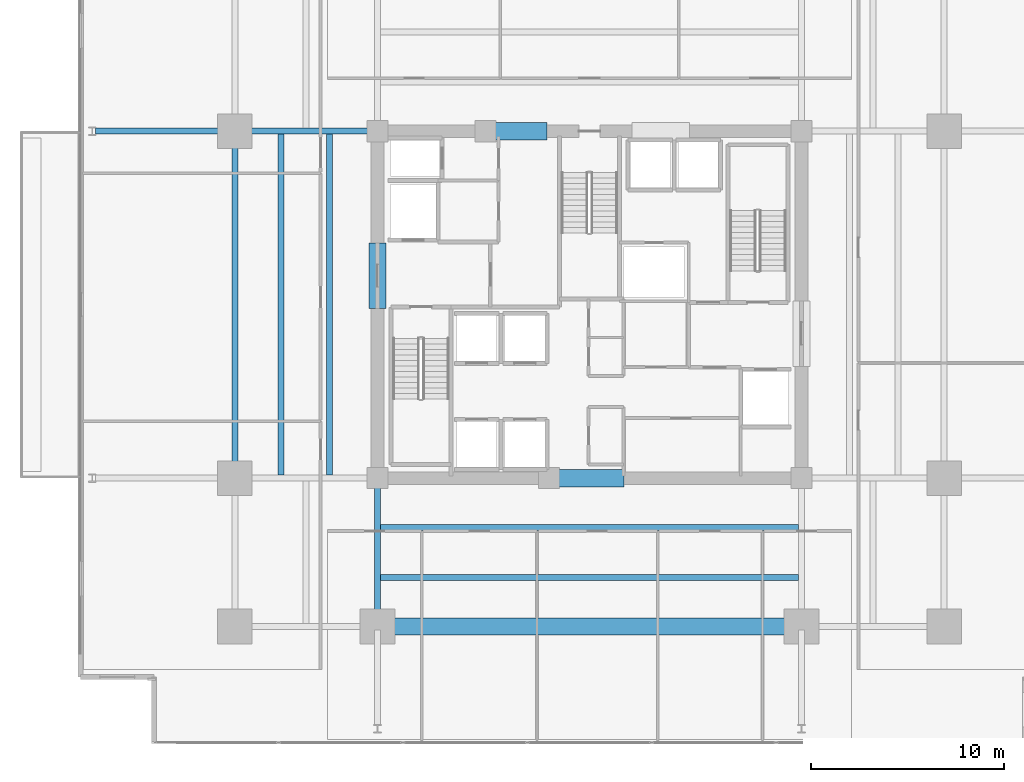
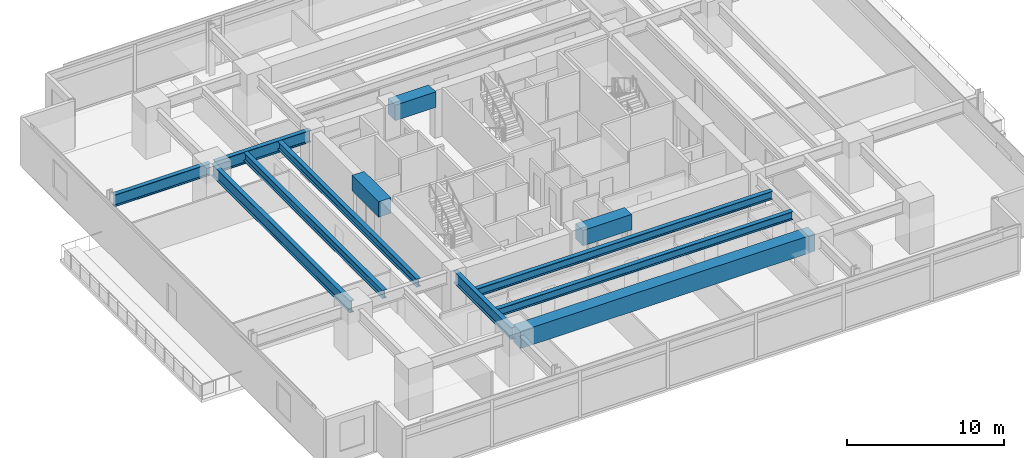
# One storey, part 4 of 23: 12 beams.
"""IFC4 building model written with IfcOpenShell, lengths in metres."""

from ifc_helpers import new_model, si_unit, direction, frame, origin, origin_2d, place, context, subcontext, project, spatial, rectangle, i_section, extrude, material, material_profile, profile_set, type_object, element, save


model = new_model("IFC4")

# Units and contexts
model_context = context("Model", 3, precision=1e-05, world=origin(), true_north=direction((0.0, 1.0)))
body_context = subcontext(model_context, "Body", "Model", "MODEL_VIEW")
ifc_project = project(units=[si_unit("LENGTHUNIT", "METRE"), si_unit("AREAUNIT", "SQUARE_METRE"), si_unit("VOLUMEUNIT", "CUBIC_METRE"), si_unit("PLANEANGLEUNIT", "RADIAN"), si_unit("MASSUNIT", "GRAM", prefix="KILO")], contexts=[model_context])

# Site, building, storey
site_placement = place(None, origin())
site = spatial("IfcSite", under=ifc_project, at=site_placement, CompositionType="ELEMENT")
building_placement = place(site_placement, origin())
building = spatial("IfcBuilding", under=site, at=building_placement, Name="Kovane Verandah Tower", CompositionType="ELEMENT")
storey_placement = place(building_placement, frame((0.0, 0.0, 103.60009765625)))
storey = spatial("IfcBuildingStorey", under=building, at=storey_placement, Name="L24", CompositionType="ELEMENT", Elevation=103.60009765625)

# Beams
ifc_material_1 = material(Name="Concrete C80/95", Category="concrete")
ifc_material_profile_1 = material_profile(ifc_material_1, rectangle(XDim=0.89990234375, YDim=1.199951171875, at=origin_2d()), Name="RCB900x1200")
ifc_profile_set_1 = profile_set([ifc_material_profile_1], Name="Concrete C80/95")
beam_type_1 = type_object("IfcBeamType", Name="BM-LINTEL-900x1200", PredefinedType="LINTEL", material=ifc_profile_set_1)
beam_1_placement = place(storey_placement, frame((38.199951171875, 18.5, 3.099853515625), z_axis=(1.0, 0.0, 0.0), x_axis=(0.0, 1.0, 0.0)))
element("IfcBeam", 1, at=beam_1_placement, inside=storey, type_object=beam_type_1, Name="L24 Core Coupling Lintel CL-S", PredefinedType="LINTEL", context=body_context, shape_type="SweptSolid", body=[
    extrude(rectangle(XDim=0.89990234375, YDim=1.199951171875, at=origin_2d()), origin(), (0.0, 0.0, 1.0), 3.60009765625),
])
beam_2_placement = place(storey_placement, frame((34.800048828125, 36.5, 3.099853515625), z_axis=(1.0, 0.0, 0.0), x_axis=(0.0, 1.0, 0.0)))
element("IfcBeam", 2, at=beam_2_placement, inside=storey, type_object=beam_type_1, Name="L24 Core Coupling Lintel CL-N1", PredefinedType="LINTEL", context=body_context, shape_type="SweptSolid", body=[
    extrude(rectangle(XDim=0.89990234375, YDim=1.199951171875, at=origin_2d()), origin(), (0.0, 0.0, 1.0), 3.0),
])
beam_3_placement = place(storey_placement, frame((29.0, 27.300048828125, 3.099853515625), z_axis=(0.0, 1.0, 0.0), x_axis=(-1.0, 0.0, 0.0)))
element("IfcBeam", 3, at=beam_3_placement, inside=storey, type_object=beam_type_1, Name="L24 Core Coupling Lintel CL-W", PredefinedType="LINTEL", context=body_context, shape_type="SweptSolid", body=[
    extrude(rectangle(XDim=0.89990234375, YDim=1.199951171875, at=origin_2d()), origin(), (0.0, 0.0, 1.0), 3.39990234375),
])
ifc_material_profile_2 = material_profile(ifc_material_1, rectangle(XDim=0.89990234375, YDim=1.35009765625, at=origin_2d()), Name="RCB900x1350")
ifc_profile_set_2 = profile_set([ifc_material_profile_2], Name="Concrete C80/95")
beam_type_2 = type_object("IfcBeamType", Name="BM-TR-900x1350", PredefinedType="BEAM", material=ifc_profile_set_2)
beam_4_placement = place(storey_placement, frame((29.179931640625, 10.800048828125, 3.02490234375), z_axis=(1.0, 0.0, 0.0), x_axis=(0.0, 1.0, 0.0)))
element("IfcBeam", 4, at=beam_4_placement, inside=storey, type_object=beam_type_2, Name="L24 Primary Tower Girder G-RS2", PredefinedType="BEAM", context=body_context, shape_type="SweptSolid", body=[
    extrude(rectangle(XDim=0.89990234375, YDim=1.35009765625, at=origin_2d()), origin(), (0.0, 0.0, 1.0), 21.64013671875),
])
ifc_material_2 = material(Name="Steel S460", Category="steel")
ifc_material_profile_3 = material_profile(ifc_material_2, i_section(OverallWidth=0.311279296875, OverallDepth=0.6357421875, WebThickness=0.018310546875, FlangeThickness=0.031494140625, FilletRadius=0.0166015625, at=origin_2d()), Name="UB610x305x238")
ifc_profile_set_3 = profile_set([ifc_material_profile_3], Name="Steel S460")
beam_type_3 = type_object("IfcBeamType", Name="BM-UB610x238", PredefinedType="BEAM", material=ifc_profile_set_3)
for number, where, z_axis, x_axis, name in (
    (5, (29.15185546875, 13.35009765625, 3.382080078125), (1.0, 0.0, 0.0), (0.0, 1.0, 0.0), "L24 Secondary Composite Joist J-S1"),
    (6, (29.15185546875, 15.949951171875, 3.382080078125), (1.0, 0.0, 0.0), (0.0, 1.0, 0.0), "L24 Secondary Composite Joist J-S2"),
):
    element("IfcBeam", number, at=place(storey_placement, frame(where, z_axis=z_axis, x_axis=x_axis)), inside=storey, type_object=beam_type_3, Name=name, PredefinedType="BEAM", context=body_context, shape_type="SweptSolid", body=[
        extrude(i_section(OverallWidth=0.311279296875, OverallDepth=0.6357421875, WebThickness=0.018310546875, FlangeThickness=0.031494140625, FilletRadius=0.0166015625, at=origin_2d()), origin(), (0.0, 0.0, 1.0), 21.6962890625),
    ])
for number, where, z_axis, x_axis, name in (
    (7, (24.0, 18.65185546875, 3.382080078125), (0.0, 1.0, 0.0), (-1.0, 0.0, 0.0), "L24 Secondary Composite Joist J-W1"),
    (8, (26.5, 18.65185546875, 3.382080078125), (0.0, 1.0, 0.0), (-1.0, 0.0, 0.0), "L24 Secondary Composite Joist J-W2"),
):
    element("IfcBeam", number, at=place(storey_placement, frame(where, z_axis=z_axis, x_axis=x_axis)), inside=storey, type_object=beam_type_3, Name=name, PredefinedType="BEAM", context=body_context, shape_type="SweptSolid", body=[
        extrude(i_section(OverallWidth=0.311279296875, OverallDepth=0.6357421875, WebThickness=0.018310546875, FlangeThickness=0.031494140625, FilletRadius=0.0166015625, at=origin_2d()), origin(), (0.0, 0.0, 1.0), 17.6962890625),
    ])
ifc_material_profile_4 = material_profile(ifc_material_2, i_section(OverallWidth=0.3076171875, OverallDepth=0.926513671875, WebThickness=0.01953125, FlangeThickness=0.031982421875, FilletRadius=0.01904296875, at=origin_2d()), Name="UB914x305x289")
ifc_profile_set_4 = profile_set([ifc_material_profile_4], Name="Steel S460")
beam_type_4 = type_object("IfcBeamType", Name="BM-UB914x289", PredefinedType="BEAM", material=ifc_profile_set_4)
beam_5_placement = place(storey_placement, frame((21.60009765625, 18.679931640625, 3.236572265625), z_axis=(0.0, 1.0, 0.0), x_axis=(-1.0, 0.0, 0.0)))
element("IfcBeam", 9, at=beam_5_placement, inside=storey, type_object=beam_type_4, Name="L24 Primary Tower Girder G-RW2", PredefinedType="BEAM", context=body_context, shape_type="SweptSolid", body=[
    extrude(i_section(OverallWidth=0.3076171875, OverallDepth=0.926513671875, WebThickness=0.01953125, FlangeThickness=0.031982421875, FilletRadius=0.01904296875, at=origin_2d()), origin(), (0.0, 0.0, 1.0), 17.64013671875),
])
beam_6_placement = place(storey_placement, frame((28.820068359375, 36.5, 3.236572265625), z_axis=(-1.0, 0.0, 0.0), x_axis=(0.0, -1.0, 0.0)))
element("IfcBeam", 10, at=beam_6_placement, inside=storey, type_object=beam_type_4, Name="L24 Primary Tower Girder G-W2", PredefinedType="BEAM", context=body_context, shape_type="SweptSolid", body=[
    extrude(i_section(OverallWidth=0.3076171875, OverallDepth=0.926513671875, WebThickness=0.01953125, FlangeThickness=0.031982421875, FilletRadius=0.01904296875, at=origin_2d()), origin(), (0.0, 0.0, 1.0), 7.0400390625),
])
beam_7_placement = place(storey_placement, frame((29.0, 18.320068359375, 3.236572265625), z_axis=(0.0, -1.0, 0.0), x_axis=(1.0, 0.0, 0.0)))
element("IfcBeam", 11, at=beam_7_placement, inside=storey, type_object=beam_type_4, Name="L24 Primary Tower Girder G-S1", PredefinedType="BEAM", context=body_context, shape_type="SweptSolid", body=[
    extrude(i_section(OverallWidth=0.3076171875, OverallDepth=0.926513671875, WebThickness=0.01953125, FlangeThickness=0.031982421875, FilletRadius=0.01904296875, at=origin_2d()), origin(), (0.0, 0.0, 1.0), 7.340087890625),
])
beam_8_placement = place(storey_placement, frame((21.419921875, 36.5, 3.236572265625), z_axis=(-1.0, 0.0, 0.0), x_axis=(0.0, -1.0, 0.0)))
element("IfcBeam", 12, at=beam_8_placement, inside=storey, type_object=beam_type_4, Name="L24 Primary Tower Girder G-VW2", PredefinedType="BEAM", context=body_context, shape_type="SweptSolid", body=[
    extrude(i_section(OverallWidth=0.3076171875, OverallDepth=0.926513671875, WebThickness=0.01953125, FlangeThickness=0.031982421875, FilletRadius=0.01904296875, at=origin_2d()), origin(), (0.0, 0.0, 1.0), 7.0400390625),
])

save(model, "model.ifc")
